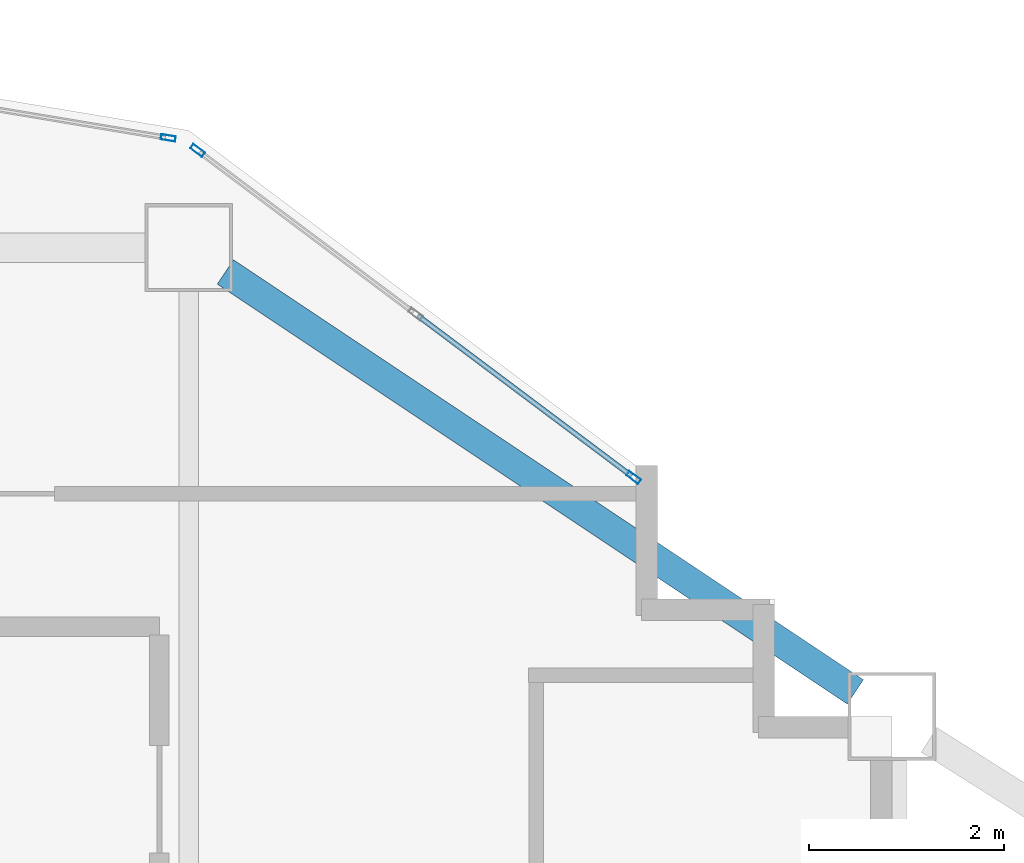
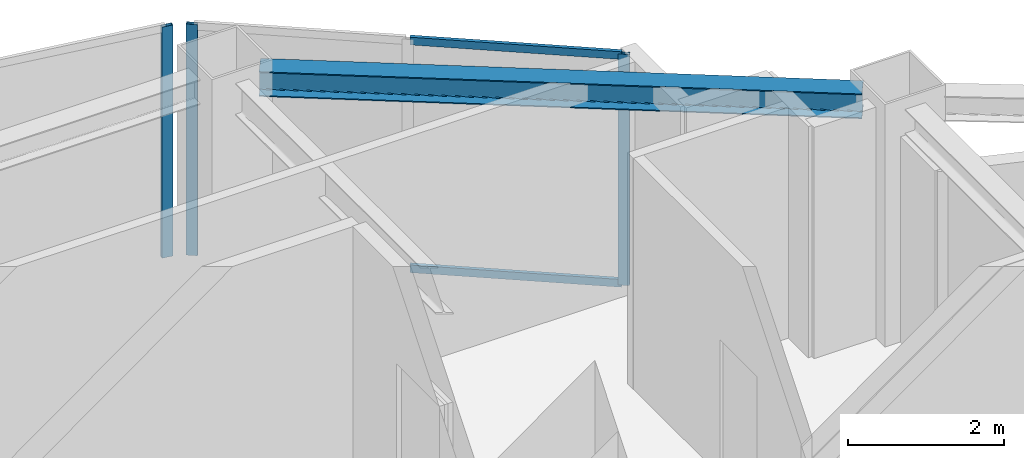
# One storey, part 3 of 10: 5 members, 1 beam, 2 elements without a shape of their own.
"""IFC4 building model written with IfcOpenShell, lengths in metres."""

from ifc_helpers import new_model, si_unit, direction, frame, origin, origin_2d, place, context, subcontext, project, spatial, hollow_rectangle, i_section, extrude, material, layer, layer_set, material_profile, profile_set, type_object, element, aggregate, save


model = new_model("IFC4")

# Units and contexts
model_context = context("Model", 3, precision=1e-05, world=origin(), true_north=direction((0.0, 1.0)))
body_context = subcontext(model_context, "Body", "Model", "MODEL_VIEW")
ifc_project = project(units=[si_unit("LENGTHUNIT", "METRE"), si_unit("AREAUNIT", "SQUARE_METRE"), si_unit("VOLUMEUNIT", "CUBIC_METRE"), si_unit("PLANEANGLEUNIT", "RADIAN"), si_unit("MASSUNIT", "GRAM", prefix="KILO")], contexts=[model_context])

# Site, building, storey
site_placement = place(None, origin())
site = spatial("IfcSite", under=ifc_project, at=site_placement, CompositionType="ELEMENT")
building_placement = place(site_placement, origin())
building = spatial("IfcBuilding", under=site, at=building_placement, Name="Haolan Belvedere Tower", CompositionType="ELEMENT")
storey_placement = place(building_placement, frame((0.0, 0.0, 180.39990234375)))
storey = spatial("IfcBuildingStorey", under=building, at=storey_placement, Name="L45", CompositionType="ELEMENT", Elevation=180.39990234375)

# Beam
ifc_material_1 = material(Name="Steel Q355B", Category="steel")
ifc_material_profile_1 = material_profile(ifc_material_1, i_section(OverallWidth=0.300048828125, OverallDepth=0.389892578125, WebThickness=0.010009765625, FlangeThickness=0.01611328125, FilletRadius=0.02197265625, at=origin_2d()), Name="Steel Q355B")
ifc_profile_set_1 = profile_set([ifc_material_profile_1], Name="Steel Q355B")
beam_type = type_object("IfcBeamType", Name="BM-HM390x300x10x16", PredefinedType="SPANDREL", material=ifc_profile_set_1)
beam_placement = place(storey_placement, frame((45.974365234375, 50.150390625, 3.425048828125), z_axis=(0.832050294338, -0.554700196225, 0.0), x_axis=(0.554700196225, 0.832050294338, 0.0)))
element("IfcBeam", 1, at=beam_placement, inside=storey, type_object=beam_type, Name="L45 spandrel girder MC-T3-N2-MC-T3-NE", PredefinedType="SPANDREL", context=body_context, shape_type="SweptSolid", body=[
    extrude(i_section(OverallWidth=0.300048828125, OverallDepth=0.389892578125, WebThickness=0.010009765625, FlangeThickness=0.01611328125, FilletRadius=0.02197265625, at=origin_2d()), origin(), (0.0, 0.0, 1.0), 7.75341796875),
])

# Curtain wall, members
ifc_material_2 = material(Name="Anodised champagne-silver aluminium 6063-T6 and Low-E glass", Category="aluminium")
ifc_layer = layer(ifc_material_2, 0.14990234375, Name="Anodised champagne-silver aluminium 6063-T6 and Low-E glass")
ifc_layer_set = layer_set([ifc_layer], Name="Anodised champagne-silver aluminium 6063-T6 and Low-E glass")
curtain_wall_type = type_object("IfcCurtainWallType", Name="CW-SYS-04", PredefinedType="NOTDEFINED", material=ifc_layer_set)
curtain_wall_1_placement = place(storey_placement, origin())
curtain_wall_1 = element("IfcCurtainWall", 2, at=curtain_wall_1_placement, inside=storey, type_object=curtain_wall_type, Name="L45 CW-SYS-04 ribbon curtain wall 20.1", PredefinedType="NOTDEFINED")
ifc_material_3 = material(Name="Anodised aluminium 6063-T6", Category="aluminium")
ifc_material_profile_2 = material_profile(ifc_material_3, hollow_rectangle(XDim=0.055908203125, YDim=0.14990234375, WallThickness=0.00390625, at=origin_2d()), Name="Anodised aluminium 6063-T6")
ifc_profile_set_2 = profile_set([ifc_material_profile_2], Name="Anodised aluminium 6063-T6")
member_type_1 = type_object("IfcMemberType", Name="CW-SYS-04-MUL", PredefinedType="MULLION", material=ifc_profile_set_2)
member_1_placement = place(storey_placement, frame((50.155517578125, 48.0458984375, 0.0), z_axis=(0.0, 0.0, 1.0), x_axis=(-0.600002837806, -0.799997871638, 0.0)))
member_1 = element("IfcMember", 3, at=member_1_placement, type_object=member_type_1, Name="CW-04 mullion 1", PredefinedType="MULLION", context=body_context, shape_type="SweptSolid", body=[
    extrude(hollow_rectangle(XDim=0.055908203125, YDim=0.14990234375, WallThickness=0.00390625, at=origin_2d()), origin(), (0.0, 0.0, 1.0), 3.6201171875),
])
member_2_placement = place(storey_placement, frame((45.68994140625, 51.39501953125, 0.0), z_axis=(0.0, 0.0, 1.0), x_axis=(-0.600002837806, -0.799997871638, 0.0)))
member_2 = element("IfcMember", 4, at=member_2_placement, type_object=member_type_1, Name="CW-04 mullion 3", PredefinedType="MULLION", context=body_context, shape_type="SweptSolid", body=[
    extrude(hollow_rectangle(XDim=0.055908203125, YDim=0.14990234375, WallThickness=0.00390625, at=origin_2d()), origin(), (0.0, 0.0, 1.0), 3.6201171875),
])

# Curtain wall, member
curtain_wall_2_placement = place(storey_placement, origin())
curtain_wall_2 = element("IfcCurtainWall", 5, at=curtain_wall_2_placement, inside=storey, type_object=curtain_wall_type, Name="L45 CW-SYS-04 ribbon curtain wall 21.1", PredefinedType="NOTDEFINED")
member_3_placement = place(storey_placement, frame((45.389892578125, 51.5234375, 0.0), z_axis=(0.0, 0.0, 1.0), x_axis=(-0.164405962825, -0.98639276122, 0.0)))
member_3 = element("IfcMember", 6, at=member_3_placement, type_object=member_type_1, Name="CW-04 mullion 1", PredefinedType="MULLION", context=body_context, shape_type="SweptSolid", body=[
    extrude(hollow_rectangle(XDim=0.055908203125, YDim=0.14990234375, WallThickness=0.00390625, at=origin_2d()), origin(), (0.0, 0.0, 1.0), 3.6201171875),
])
aggregate(curtain_wall_2, [member_3])

# Member
ifc_material_profile_3 = material_profile(ifc_material_3, hollow_rectangle(XDim=0.052001953125, YDim=0.1201171875, WallThickness=0.00390625, at=origin_2d()), Name="Anodised aluminium 6063-T6")
ifc_profile_set_3 = profile_set([ifc_material_profile_3], Name="Anodised aluminium 6063-T6")
member_type_2 = type_object("IfcMemberType", Name="CW-SYS-04-TRN", PredefinedType="USERDEFINED", material=ifc_profile_set_3)
member_4_placement = place(storey_placement, frame((50.13330078125, 48.0625, 0.026123046875), z_axis=(-0.800010710715, 0.59998571878, 0.0), x_axis=(-0.59998571878, -0.800010710715, 0.0)))
member_4 = element("IfcMember", 7, at=member_4_placement, type_object=member_type_2, Name="CW-04 transom 1.1", ObjectType="TRANSOM", PredefinedType="USERDEFINED", context=body_context, shape_type="SweptSolid", body=[
    extrude(hollow_rectangle(XDim=0.052001953125, YDim=0.1201171875, WallThickness=0.00390625, at=origin_2d()), origin(), (0.0, 0.0, 1.0), 2.7353515625),
])

member_5_placement = place(storey_placement, frame((50.13330078125, 48.0625, 3.593994140625), z_axis=(-0.800010710715, 0.59998571878, 0.0), x_axis=(-0.59998571878, -0.800010710715, 0.0)))
member_5 = element("IfcMember", 8, at=member_5_placement, type_object=member_type_2, Name="CW-04 transom 1.2", ObjectType="TRANSOM", PredefinedType="USERDEFINED", context=body_context, shape_type="SweptSolid", body=[
    extrude(hollow_rectangle(XDim=0.052001953125, YDim=0.1201171875, WallThickness=0.00390625, at=origin_2d()), origin(), (0.0, 0.0, 1.0), 2.7353515625),
])

aggregate(curtain_wall_1, [member_1, member_2, member_4, member_5])

save(model, "model.ifc")
